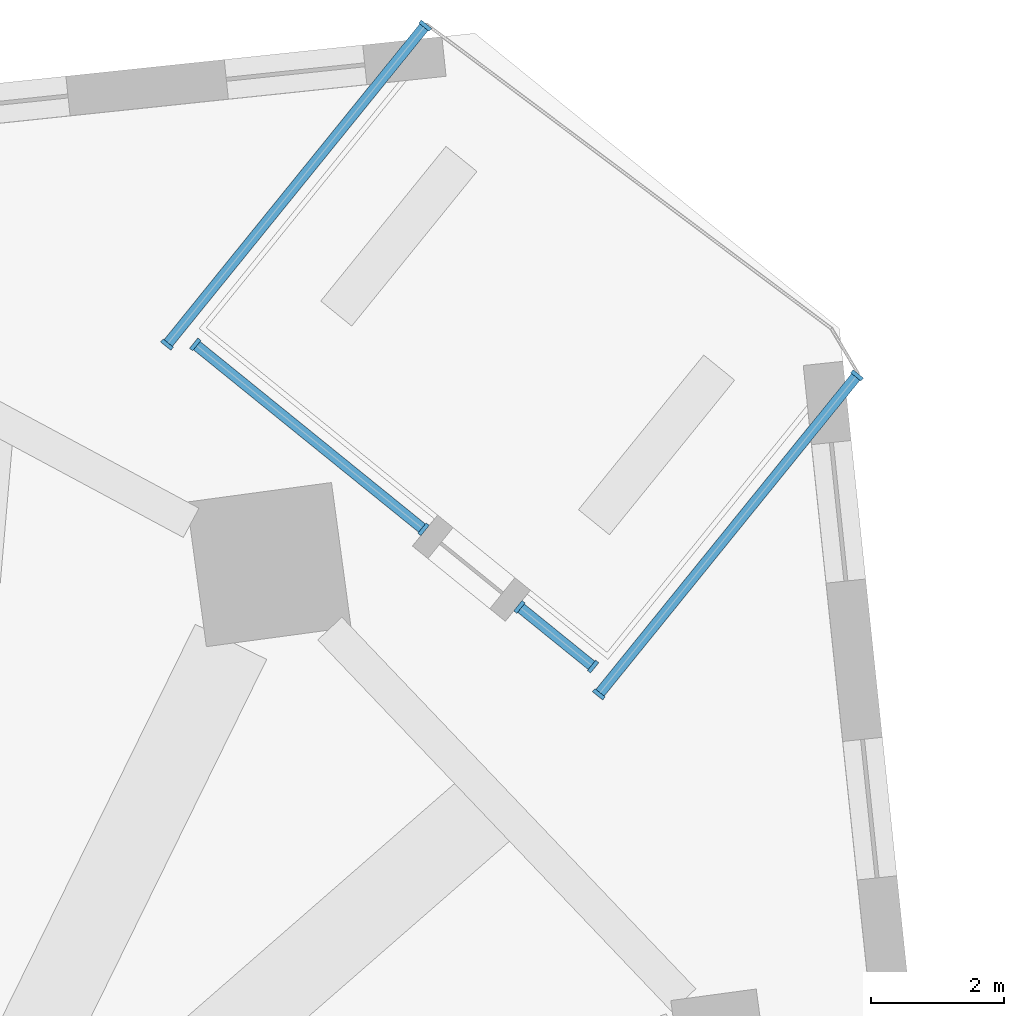
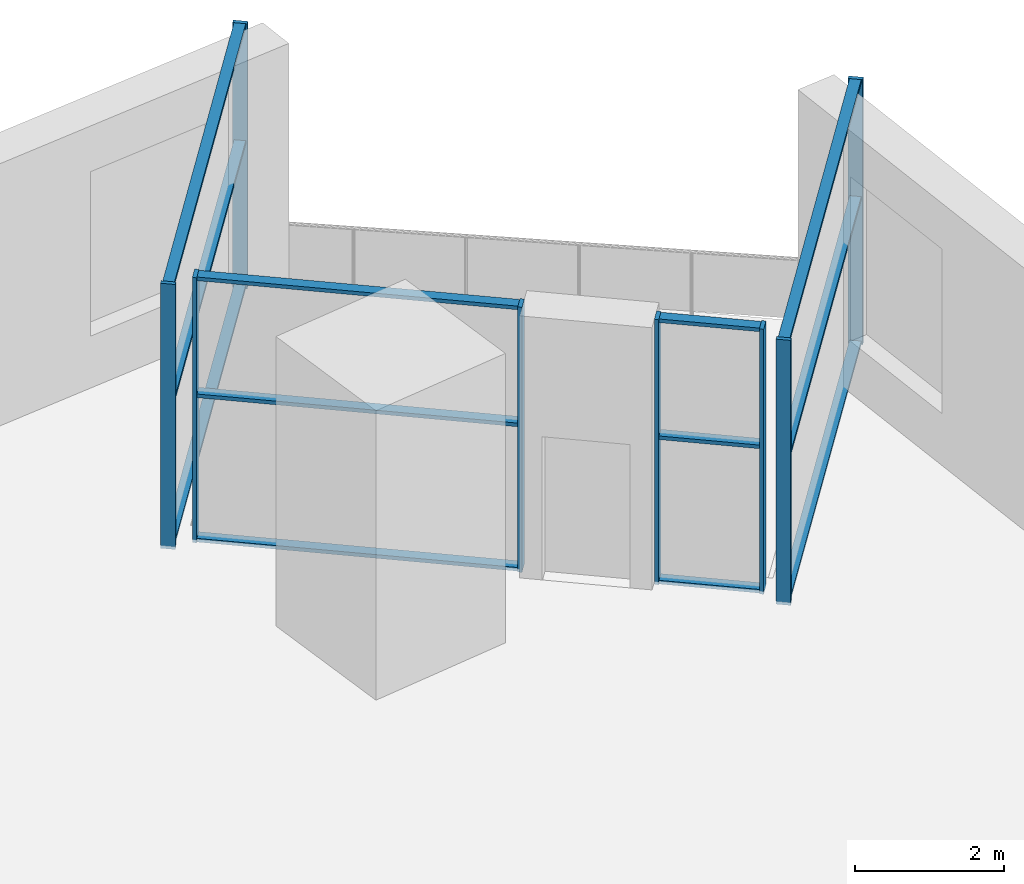
# One storey, part 2 of 10: 20 members, 4 elements without a shape of their own.
"""IFC4 building model written with IfcOpenShell, lengths in metres."""

from ifc_helpers import new_model, si_unit, direction, frame, origin, origin_2d, place, context, subcontext, project, spatial, rectangle, extrude, material, material_profile, profile_set, type_object, element, aggregate, save


model = new_model("IFC4")

# Units and contexts
model_context = context("Model", 3, precision=1e-05, world=origin(), true_north=direction((0.0, 1.0)))
body_context = subcontext(model_context, "Body", "Model", "MODEL_VIEW")
ifc_project = project(units=[si_unit("LENGTHUNIT", "METRE"), si_unit("AREAUNIT", "SQUARE_METRE"), si_unit("VOLUMEUNIT", "CUBIC_METRE"), si_unit("PLANEANGLEUNIT", "RADIAN"), si_unit("MASSUNIT", "GRAM", prefix="KILO")], contexts=[model_context])

# Site, building, storey
site_placement = place(None, origin())
site = spatial("IfcSite", under=ifc_project, at=site_placement, CompositionType="ELEMENT")
building_placement = place(site_placement, origin())
building = spatial("IfcBuilding", under=site, at=building_placement, Name="Dilmun Exchange Tower", CompositionType="ELEMENT")
storey_placement = place(building_placement, frame((0.0, 0.0, 46.5)))
storey = spatial("IfcBuildingStorey", under=building, at=storey_placement, Name="L10", CompositionType="ELEMENT", Elevation=46.5)

# Curtain wall, members
ifc_material_1 = material(Name="Anodised aluminium and clear glass", Category="aluminium")
curtain_wall_type = type_object("IfcCurtainWallType", Name="Garden corner glazing", PredefinedType="NOTDEFINED", material=ifc_material_1)
curtain_wall_1_placement = place(storey_placement, origin())
curtain_wall_1 = element("IfcCurtainWall", 1, at=curtain_wall_1_placement, inside=storey, type_object=curtain_wall_type, Name="Garden corner glazing run GC1.1", PredefinedType="NOTDEFINED")
ifc_material_2 = material(Name="Anodised aluminium", Category="aluminium")
ifc_material_profile_1 = material_profile(ifc_material_2, rectangle(XDim=0.199951171875, YDim=0.06005859375, at=origin_2d()), Name="AL 60x200")
ifc_profile_set_1 = profile_set([ifc_material_profile_1], Name="Anodised aluminium")
member_type_1 = type_object("IfcMemberType", Name="Garden corner glazing mullion 60 x 200", PredefinedType="MULLION", material=ifc_profile_set_1)
member_1_placement = place(storey_placement, frame((27.489013671875, 27.28955078125, 0.0), z_axis=(0.0, 0.0, 1.0), x_axis=(0.777139354096, -0.629328550374, 0.0)))
member_1 = element("IfcMember", 2, at=member_1_placement, type_object=member_type_1, Name="GC1.1 mullion 1", PredefinedType="MULLION", context=body_context, shape_type="SweptSolid", body=[
    extrude(rectangle(XDim=0.199951171875, YDim=0.06005859375, at=origin_2d()), origin(), (0.0, 0.0, 1.0), 4.35009765625),
])
member_2_placement = place(storey_placement, frame((23.595703125, 22.481689453125, 0.0), z_axis=(0.0, 0.0, 1.0), x_axis=(0.777139354096, -0.629328550374, 0.0)))
member_2 = element("IfcMember", 3, at=member_2_placement, type_object=member_type_1, Name="GC1.1 mullion 2", PredefinedType="MULLION", context=body_context, shape_type="SweptSolid", body=[
    extrude(rectangle(XDim=0.199951171875, YDim=0.06005859375, at=origin_2d()), origin(), (0.0, 0.0, 1.0), 4.35009765625),
])

curtain_wall_2_placement = place(storey_placement, origin())
curtain_wall_2 = element("IfcCurtainWall", 4, at=curtain_wall_2_placement, inside=storey, type_object=curtain_wall_type, Name="Garden corner glazing run GC2.1", PredefinedType="NOTDEFINED")
member_3_placement = place(storey_placement, frame((23.50927734375, 22.899169921875, 0.0), z_axis=(0.0, 0.0, 1.0), x_axis=(-0.629327658035, -0.777140076712, 0.0)))
member_3 = element("IfcMember", 5, at=member_3_placement, type_object=member_type_1, Name="GC2.1 mullion 1", PredefinedType="MULLION", context=body_context, shape_type="SweptSolid", body=[
    extrude(rectangle(XDim=0.199951171875, YDim=0.06005859375, at=origin_2d()), origin(), (0.0, 0.0, 1.0), 4.35009765625),
])
member_4_placement = place(storey_placement, frame((22.398681640625, 23.798583984375, 0.0), z_axis=(0.0, 0.0, 1.0), x_axis=(-0.629327658035, -0.777140076712, 0.0)))
member_4 = element("IfcMember", 6, at=member_4_placement, type_object=member_type_1, Name="GC2.1 mullion 2", PredefinedType="MULLION", context=body_context, shape_type="SweptSolid", body=[
    extrude(rectangle(XDim=0.199951171875, YDim=0.06005859375, at=origin_2d()), origin(), (0.0, 0.0, 1.0), 4.35009765625),
])

curtain_wall_3_placement = place(storey_placement, origin())
curtain_wall_3 = element("IfcCurtainWall", 7, at=curtain_wall_3_placement, inside=storey, type_object=curtain_wall_type, Name="Garden corner glazing run GC2.3", PredefinedType="NOTDEFINED")
member_5_placement = place(storey_placement, frame((20.953125, 24.96923828125, 0.0), z_axis=(0.0, 0.0, 1.0), x_axis=(-0.62930780391, -0.777156154153, 0.0)))
member_5 = element("IfcMember", 8, at=member_5_placement, type_object=member_type_1, Name="GC2.3 mullion 1", PredefinedType="MULLION", context=body_context, shape_type="SweptSolid", body=[
    extrude(rectangle(XDim=0.199951171875, YDim=0.06005859375, at=origin_2d()), origin(), (0.0, 0.0, 1.0), 4.35009765625),
])
member_6_placement = place(storey_placement, frame((17.510986328125, 27.75634765625, 0.0), z_axis=(0.0, 0.0, 1.0), x_axis=(-0.62930780391, -0.777156154153, 0.0)))
member_6 = element("IfcMember", 9, at=member_6_placement, type_object=member_type_1, Name="GC2.3 mullion 2", PredefinedType="MULLION", context=body_context, shape_type="SweptSolid", body=[
    extrude(rectangle(XDim=0.199951171875, YDim=0.06005859375, at=origin_2d()), origin(), (0.0, 0.0, 1.0), 4.35009765625),
])

curtain_wall_4_placement = place(storey_placement, origin())
curtain_wall_4 = element("IfcCurtainWall", 10, at=curtain_wall_4_placement, inside=storey, type_object=curtain_wall_type, Name="Garden corner glazing run GC3.1", PredefinedType="NOTDEFINED")
member_7_placement = place(storey_placement, frame((17.084716796875, 27.75439453125, 0.0), z_axis=(0.0, 0.0, 1.0), x_axis=(-0.777147183723, 0.629318881674, 0.0)))
member_7 = element("IfcMember", 11, at=member_7_placement, type_object=member_type_1, Name="GC3.1 mullion 1", PredefinedType="MULLION", context=body_context, shape_type="SweptSolid", body=[
    extrude(rectangle(XDim=0.199951171875, YDim=0.06005859375, at=origin_2d()), origin(), (0.0, 0.0, 1.0), 4.35009765625),
])
member_8_placement = place(storey_placement, frame((20.97802734375, 32.56201171875, 0.0), z_axis=(0.0, 0.0, 1.0), x_axis=(-0.777147183723, 0.629318881674, 0.0)))
member_8 = element("IfcMember", 12, at=member_8_placement, type_object=member_type_1, Name="GC3.1 mullion 2", PredefinedType="MULLION", context=body_context, shape_type="SweptSolid", body=[
    extrude(rectangle(XDim=0.199951171875, YDim=0.06005859375, at=origin_2d()), origin(), (0.0, 0.0, 1.0), 4.35009765625),
])

# Member
ifc_material_profile_2 = material_profile(ifc_material_2, rectangle(XDim=0.159912109375, YDim=0.06005859375, at=origin_2d()), Name="AL 60x160")
ifc_profile_set_2 = profile_set([ifc_material_profile_2], Name="Anodised aluminium")
member_type_2 = type_object("IfcMemberType", Name="Garden corner glazing transom 60 x 160", PredefinedType="USERDEFINED", material=ifc_profile_set_2)
member_9_placement = place(storey_placement, frame((27.47021484375, 27.26611328125, 0.030029296875), z_axis=(-0.629354123072, -0.777118644592, 0.0), x_axis=(0.777118644592, -0.629354123072, 0.0)))
member_9 = element("IfcMember", 13, at=member_9_placement, type_object=member_type_2, Name="GC1.1 transom 1.1", ObjectType="TRANSOM", PredefinedType="USERDEFINED", context=body_context, shape_type="SweptSolid", body=[
    extrude(rectangle(XDim=0.159912109375, YDim=0.06005859375, at=origin_2d()), origin(), (0.0, 0.0, 1.0), 6.12646484375),
])

member_10_placement = place(storey_placement, frame((27.47021484375, 27.26611328125, 2.39990234375), z_axis=(-0.629354123072, -0.777118644592, 0.0), x_axis=(0.777118644592, -0.629354123072, 0.0)))
member_10 = element("IfcMember", 14, at=member_10_placement, type_object=member_type_2, Name="GC1.1 transom 1.2", ObjectType="TRANSOM", PredefinedType="USERDEFINED", context=body_context, shape_type="SweptSolid", body=[
    extrude(rectangle(XDim=0.159912109375, YDim=0.06005859375, at=origin_2d()), origin(), (0.0, 0.0, 1.0), 6.12646484375),
])

member_11_placement = place(storey_placement, frame((27.47021484375, 27.26611328125, 4.320068359375), z_axis=(-0.629354123072, -0.777118644592, 0.0), x_axis=(0.777118644592, -0.629354123072, 0.0)))
member_11 = element("IfcMember", 15, at=member_11_placement, type_object=member_type_2, Name="GC1.1 transom 1.3", ObjectType="TRANSOM", PredefinedType="USERDEFINED", context=body_context, shape_type="SweptSolid", body=[
    extrude(rectangle(XDim=0.159912109375, YDim=0.06005859375, at=origin_2d()), origin(), (0.0, 0.0, 1.0), 6.12646484375),
])

aggregate(curtain_wall_1, [member_1, member_2, member_9, member_10, member_11])

member_12_placement = place(storey_placement, frame((23.48583984375, 22.918212890625, 0.030029296875), z_axis=(-0.777149346845, 0.629316210421, 0.0), x_axis=(-0.629316210421, -0.777149346845, 0.0)))
member_12 = element("IfcMember", 16, at=member_12_placement, type_object=member_type_2, Name="GC2.1 transom 1.1", ObjectType="TRANSOM", PredefinedType="USERDEFINED", context=body_context, shape_type="SweptSolid", body=[
    extrude(rectangle(XDim=0.159912109375, YDim=0.06005859375, at=origin_2d()), origin(), (0.0, 0.0, 1.0), 1.369140625),
])

member_13_placement = place(storey_placement, frame((23.48583984375, 22.918212890625, 2.39990234375), z_axis=(-0.777149346845, 0.629316210421, 0.0), x_axis=(-0.629316210421, -0.777149346845, 0.0)))
member_13 = element("IfcMember", 17, at=member_13_placement, type_object=member_type_2, Name="GC2.1 transom 1.2", ObjectType="TRANSOM", PredefinedType="USERDEFINED", context=body_context, shape_type="SweptSolid", body=[
    extrude(rectangle(XDim=0.159912109375, YDim=0.06005859375, at=origin_2d()), origin(), (0.0, 0.0, 1.0), 1.369140625),
])

member_14_placement = place(storey_placement, frame((23.48583984375, 22.918212890625, 4.320068359375), z_axis=(-0.777149346845, 0.629316210421, 0.0), x_axis=(-0.629316210421, -0.777149346845, 0.0)))
member_14 = element("IfcMember", 18, at=member_14_placement, type_object=member_type_2, Name="GC2.1 transom 1.3", ObjectType="TRANSOM", PredefinedType="USERDEFINED", context=body_context, shape_type="SweptSolid", body=[
    extrude(rectangle(XDim=0.159912109375, YDim=0.06005859375, at=origin_2d()), origin(), (0.0, 0.0, 1.0), 1.369140625),
])

aggregate(curtain_wall_2, [member_3, member_4, member_12, member_13, member_14])

member_15_placement = place(storey_placement, frame((20.9296875, 24.988037109375, 0.030029296875), z_axis=(-0.777136848202, 0.629331644816, 0.0), x_axis=(-0.629331644816, -0.777136848202, 0.0)))
member_15 = element("IfcMember", 19, at=member_15_placement, type_object=member_type_2, Name="GC2.3 transom 1.1", ObjectType="TRANSOM", PredefinedType="USERDEFINED", context=body_context, shape_type="SweptSolid", body=[
    extrude(rectangle(XDim=0.159912109375, YDim=0.06005859375, at=origin_2d()), origin(), (0.0, 0.0, 1.0), 4.368896484375),
])

member_16_placement = place(storey_placement, frame((20.9296875, 24.988037109375, 2.39990234375), z_axis=(-0.777136848202, 0.629331644816, 0.0), x_axis=(-0.629331644816, -0.777136848202, 0.0)))
member_16 = element("IfcMember", 20, at=member_16_placement, type_object=member_type_2, Name="GC2.3 transom 1.2", ObjectType="TRANSOM", PredefinedType="USERDEFINED", context=body_context, shape_type="SweptSolid", body=[
    extrude(rectangle(XDim=0.159912109375, YDim=0.06005859375, at=origin_2d()), origin(), (0.0, 0.0, 1.0), 4.368896484375),
])

member_17_placement = place(storey_placement, frame((20.9296875, 24.988037109375, 4.320068359375), z_axis=(-0.777136848202, 0.629331644816, 0.0), x_axis=(-0.629331644816, -0.777136848202, 0.0)))
member_17 = element("IfcMember", 21, at=member_17_placement, type_object=member_type_2, Name="GC2.3 transom 1.3", ObjectType="TRANSOM", PredefinedType="USERDEFINED", context=body_context, shape_type="SweptSolid", body=[
    extrude(rectangle(XDim=0.159912109375, YDim=0.06005859375, at=origin_2d()), origin(), (0.0, 0.0, 1.0), 4.368896484375),
])

aggregate(curtain_wall_3, [member_5, member_6, member_15, member_16, member_17])

member_18_placement = place(storey_placement, frame((17.103515625, 27.777587890625, 0.030029296875), z_axis=(0.629310566229, 0.777153917337, 0.0), x_axis=(-0.777153917337, 0.629310566229, 0.0)))
member_18 = element("IfcMember", 22, at=member_18_placement, type_object=member_type_2, Name="GC3.1 transom 1.1", ObjectType="TRANSOM", PredefinedType="USERDEFINED", context=body_context, shape_type="SweptSolid", body=[
    extrude(rectangle(XDim=0.159912109375, YDim=0.06005859375, at=origin_2d()), origin(), (0.0, 0.0, 1.0), 6.12646484375),
])

member_19_placement = place(storey_placement, frame((17.103515625, 27.777587890625, 2.39990234375), z_axis=(0.629310566229, 0.777153917337, 0.0), x_axis=(-0.777153917337, 0.629310566229, 0.0)))
member_19 = element("IfcMember", 23, at=member_19_placement, type_object=member_type_2, Name="GC3.1 transom 1.2", ObjectType="TRANSOM", PredefinedType="USERDEFINED", context=body_context, shape_type="SweptSolid", body=[
    extrude(rectangle(XDim=0.159912109375, YDim=0.06005859375, at=origin_2d()), origin(), (0.0, 0.0, 1.0), 6.12646484375),
])

member_20_placement = place(storey_placement, frame((17.103515625, 27.777587890625, 4.320068359375), z_axis=(0.629310566229, 0.777153917337, 0.0), x_axis=(-0.777153917337, 0.629310566229, 0.0)))
member_20 = element("IfcMember", 24, at=member_20_placement, type_object=member_type_2, Name="GC3.1 transom 1.3", ObjectType="TRANSOM", PredefinedType="USERDEFINED", context=body_context, shape_type="SweptSolid", body=[
    extrude(rectangle(XDim=0.159912109375, YDim=0.06005859375, at=origin_2d()), origin(), (0.0, 0.0, 1.0), 6.12646484375),
])

aggregate(curtain_wall_4, [member_7, member_8, member_18, member_19, member_20])

save(model, "model.ifc")
